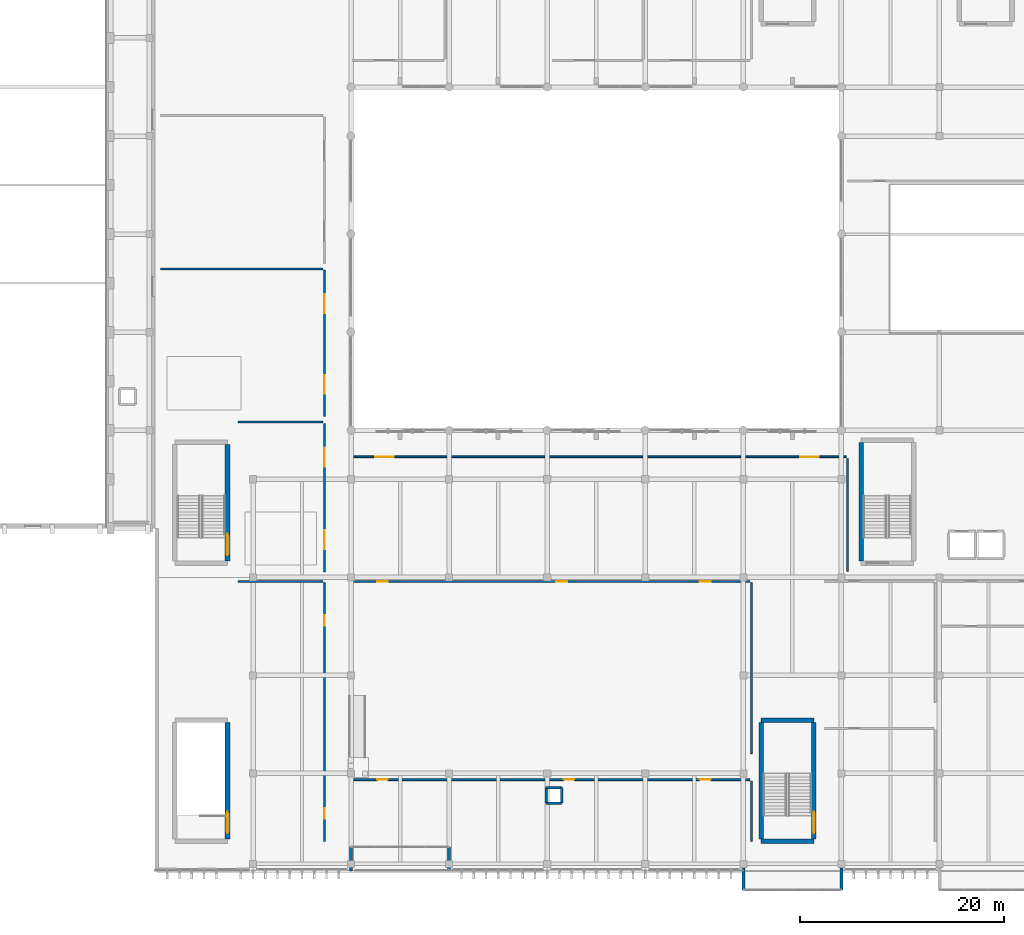
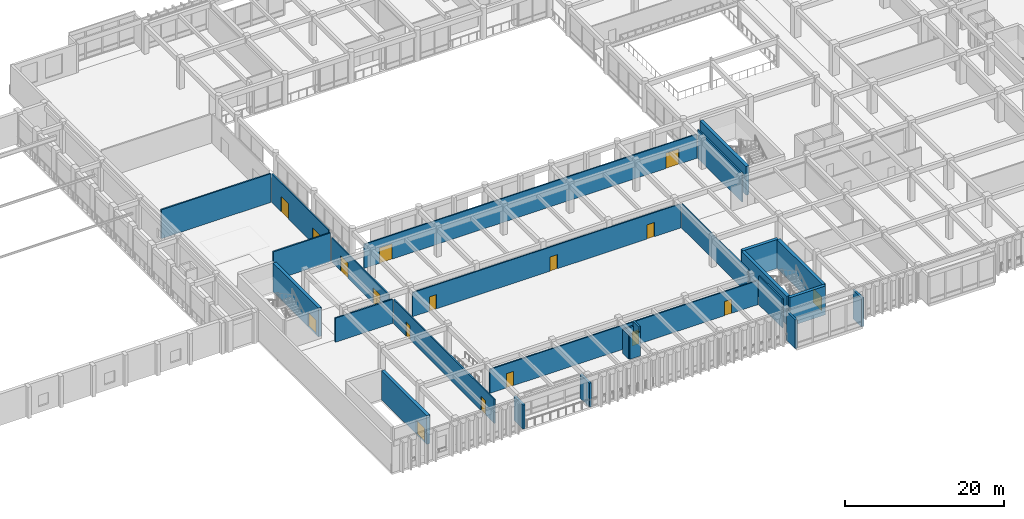
# One storey, part 100 of 133: 27 walls, 17 doors, 17 openings.
"""IFC4 building model written with IfcOpenShell, lengths in metres."""

import ifcopenshell
import ifcopenshell.guid

model = None  # the IFC model being written
_history = None  # IfcOwnerHistory: only IFC2X3 demands one
_inside = {}  # id of a spatial element -> (the spatial element, [elements in it])
_under = {}  # id of a project, library or spatial element -> (it, [spatial elements below it])
_declared = {}  # id of a project -> (the project, [libraries it declares])
_typed = {}  # id of a type object -> (the type object, [elements of that type])
_made_of = {}  # id of a material, layer set ... -> (it, [elements and type objects made of it])


def new_model(schema):
    """Start an empty IFC model of exactly this schema.

    Asked for "IFC4X3", IfcOpenShell would pick the latest addendum, in which some entities
    have other attributes; the version numbers below select the first issue.
    IFC2X3 requires an IfcOwnerHistory on every rooted entity: one is made here for all.
    """
    global model, _history
    if schema == "IFC4X3":
        model = ifcopenshell.file(schema_version=(4, 3, 0, 0))
    else:
        model = ifcopenshell.file(schema=schema)
    _inside.clear()
    _under.clear()
    _declared.clear()
    _typed.clear()
    _made_of.clear()
    _history = None
    if model.schema == "IFC2X3":
        org = make("IfcOrganization", Name="unknown")
        user = make(
            "IfcPersonAndOrganization",
            ThePerson=make("IfcPerson", FamilyName="unknown"),
            TheOrganization=org,
        )
        app = make(
            "IfcApplication",
            ApplicationDeveloper=org,
            Version="unknown",
            ApplicationFullName="unknown",
            ApplicationIdentifier="unknown",
        )
        _history = make(
            "IfcOwnerHistory",
            OwningUser=user,
            OwningApplication=app,
            ChangeAction="ADDED",
            CreationDate=0,
        )
    return model


def make(cls, **values):
    """One entity of the class cls with the attributes given. An attribute that is None is left unset."""
    return model.create_entity(
        cls, **{name: value for name, value in values.items() if value is not None}
    )


def rooted(cls, **values):
    """An entity with a GlobalId (a new one), such as an element, a storey or a relation."""
    return make(cls, GlobalId=ifcopenshell.guid.new(), OwnerHistory=_history, **values)


def si_unit(unit_type, name, prefix=None):
    """IfcSIUnit, for example si_unit("LENGTHUNIT", "METRE", prefix="MILLI")."""
    return make("IfcSIUnit", UnitType=unit_type, Prefix=prefix, Name=name)


def assignment(units):
    """IfcUnitAssignment: the units of a project."""
    return None if units is None else make("IfcUnitAssignment", Units=units)


def point(xyz):
    """IfcCartesianPoint."""
    return None if xyz is None else make("IfcCartesianPoint", Coordinates=xyz)


def direction(xyz):
    """IfcDirection."""
    return None if xyz is None else make("IfcDirection", DirectionRatios=xyz)


def frame(location, z_axis=None, x_axis=None):
    """IfcAxis2Placement3D, a coordinate frame: its origin and axes. An axis left out is left unset."""
    return make(
        "IfcAxis2Placement3D",
        Location=point(location),
        Axis=direction(z_axis),
        RefDirection=direction(x_axis),
    )


def frame_2d(location, x_axis=None):
    """IfcAxis2Placement2D, a coordinate frame in the plane: its origin and x axis."""
    return make(
        "IfcAxis2Placement2D", Location=point(location), RefDirection=direction(x_axis)
    )


def origin():
    """The frame at (0, 0, 0) with its axes left unset."""
    return frame((0.0, 0.0, 0.0))


def place(relative_to, where):
    """IfcLocalPlacement: puts the frame where relative to a parent placement (None: the world)."""
    return make(
        "IfcLocalPlacement", PlacementRelTo=relative_to, RelativePlacement=where
    )


def context(
    kind, dimensions, precision=None, world=None, true_north=None, identifier=None
):
    """IfcGeometricRepresentationContext, for example the 3D "Model" context."""
    return make(
        "IfcGeometricRepresentationContext",
        ContextIdentifier=identifier,
        ContextType=kind,
        CoordinateSpaceDimension=dimensions,
        Precision=precision,
        WorldCoordinateSystem=world,
        TrueNorth=true_north,
    )


def subcontext(parent, identifier, kind, view, scale=None):
    """IfcGeometricRepresentationSubContext, for example "Body" below "Model"."""
    return make(
        "IfcGeometricRepresentationSubContext",
        ContextIdentifier=identifier,
        ContextType=kind,
        ParentContext=parent,
        TargetScale=scale,
        TargetView=view,
    )


def project(units=None, contexts=None):
    """IfcProject with its units and contexts."""
    return rooted(
        "IfcProject",
        Name="project",
        RepresentationContexts=contexts,
        UnitsInContext=assignment(units),
    )


def spatial(cls, under=None, at=None, **own):
    """A site, building, storey or space (cls), placed at a placement, below another one or the project."""
    s = rooted(cls, ObjectPlacement=at, **own)
    if under is not None:
        _under.setdefault(under.id(), (under, []))[1].append(s)
    return s


def profile(cls, at=None, kind="AREA", **sizes):
    """A parametric profile (cls). Its sizes go by their IFC names, for example OverallWidth=200.0."""
    return make(cls, ProfileType=kind, Position=at, **sizes)


def rectangle(**sizes):
    """IfcRectangleProfileDef."""
    return profile("IfcRectangleProfileDef", **sizes)


def extrude(swept, where, along, depth):
    """IfcExtrudedAreaSolid: the profile swept, set in the frame where, extruded along a direction by depth."""
    return make(
        "IfcExtrudedAreaSolid",
        SweptArea=swept,
        Position=where,
        ExtrudedDirection=direction(along),
        Depth=depth,
    )


def shape(context_of_items, identifier, shape_type, items):
    """IfcShapeRepresentation: the items that make up one representation, for example the "Body"."""
    return make(
        "IfcShapeRepresentation",
        ContextOfItems=context_of_items,
        RepresentationIdentifier=identifier,
        RepresentationType=shape_type,
        Items=items,
    )


def material(Name=None, Category=None):
    """IfcMaterial."""
    return make("IfcMaterial", Name=Name, Category=Category)


def layer(
    of_material, thickness, ventilated=None, Name=None, Category=None, Priority=None
):
    """IfcMaterialLayer: one layer of a wall or slab, of a material (None: an air gap)."""
    return make(
        "IfcMaterialLayer",
        Material=of_material,
        LayerThickness=thickness,
        IsVentilated=ventilated,
        Name=Name,
        Category=Category,
        Priority=Priority,
    )


def layer_set(layers, Name=None):
    """IfcMaterialLayerSet."""
    return make("IfcMaterialLayerSet", MaterialLayers=layers, LayerSetName=Name)


def made_of(thing, what):
    """Note that an element or type object is made of a material, layer set ...; save() writes the relation."""
    if what is not None:
        _made_of.setdefault(what.id(), (what, []))[1].append(thing)
    return thing


def type_object(cls, material=None, **own):
    """A type object (cls), such as IfcWallType, which elements share."""
    return made_of(rooted(cls, **own), material)


def element(
    cls,
    number,
    at=None,
    inside=None,
    cuts=None,
    type_object=None,
    material=None,
    context=None,
    identifier="Body",
    shape_type=None,
    held_by="IfcProductDefinitionShape",
    body=None,
    shapes=None,
    **own,
):
    """One element of the class cls, such as IfcWall. Its Tag is "e" and its number.

    at: its placement. inside: the storey or other place that contains it. cuts: it is an
    opening in that element (IfcRelVoidsElement). A single representation is given by context,
    identifier, shape_type and body (its items); several are given by shapes. held_by: the class
    of the entity that holds the representations. save() writes the other relations.
    """
    e = rooted(cls, Tag="e%d" % number, ObjectPlacement=at, **own)
    if body is not None:
        shapes = [shape(context, identifier, shape_type, body)]
    if shapes is not None:
        e.Representation = make(held_by, Representations=shapes)
    if inside is not None:
        _inside.setdefault(inside.id(), (inside, []))[1].append(e)
    if cuts is not None:
        rooted(
            "IfcRelVoidsElement", RelatingBuildingElement=cuts, RelatedOpeningElement=e
        )
    if type_object is not None:
        _typed.setdefault(type_object.id(), (type_object, []))[1].append(e)
    return made_of(e, material)


def fill(opening, filler):
    """IfcRelFillsElement: the door or window that sits in an opening."""
    return rooted(
        "IfcRelFillsElement",
        RelatingOpeningElement=opening,
        RelatedBuildingElement=filler,
    )


def aggregate(whole, parts):
    """IfcRelAggregates: a whole, such as a stair, and the parts it consists of."""
    return rooted("IfcRelAggregates", RelatingObject=whole, RelatedObjects=parts)


def save(model, path):
    """Write the relations noted so far, then the file.

    IfcRelAggregates (storeys below a building ...), IfcRelContainedInSpatialStructure (elements
    in a storey), IfcRelDefinesByType, IfcRelAssociatesMaterial and IfcRelDeclares: one each for
    every whole, place, type object, material and project.
    """
    for whole, parts in _under.values():
        aggregate(whole, parts)
    for where, things in _inside.values():
        rooted(
            "IfcRelContainedInSpatialStructure",
            RelatedElements=things,
            RelatingStructure=where,
        )
    for kind, things in _typed.values():
        rooted("IfcRelDefinesByType", RelatedObjects=things, RelatingType=kind)
    for what, things in _made_of.values():
        rooted("IfcRelAssociatesMaterial", RelatedObjects=things, RelatingMaterial=what)
    for by, libraries in _declared.values():
        rooted("IfcRelDeclares", RelatingContext=by, RelatedDefinitions=libraries)
    model.write(path)


model = new_model("IFC4")

# Units and contexts
model_context = context("Model", 3, precision=1e-05, world=origin(), true_north=direction((0.0, 1.0)))
body_context = subcontext(model_context, "Body", "Model", "MODEL_VIEW")
ifc_project = project(units=[si_unit("LENGTHUNIT", "METRE"), si_unit("AREAUNIT", "SQUARE_METRE"), si_unit("VOLUMEUNIT", "CUBIC_METRE"), si_unit("PLANEANGLEUNIT", "RADIAN"), si_unit("MASSUNIT", "GRAM", prefix="KILO")], contexts=[model_context])

# Site, building, storey
site_placement = place(None, origin())
site = spatial("IfcSite", under=ifc_project, at=site_placement, CompositionType="ELEMENT")
building_placement = place(site_placement, origin())
building = spatial("IfcBuilding", under=site, at=building_placement, Name="Nakhvara Creek Congress Hotel", CompositionType="ELEMENT")
storey_placement = place(building_placement, frame((0.0, 0.0, 11.39990234375)))
storey = spatial("IfcBuildingStorey", under=building, at=storey_placement, Name="L02", CompositionType="ELEMENT", Elevation=11.39990234375)

# Walls
ifc_material_1 = material(Name="Champagne-bronze anodised aluminium cassette", Category="aluminium")
ifc_layer_1 = layer(ifc_material_1, 0.030029296875)
ifc_material_2 = material(Name="Mineral wool thermal insulation")
ifc_layer_2 = layer(ifc_material_2, 0.10009765625)
ifc_material_3 = material(Name="Precast concrete C40/50", Category="concrete")
ifc_layer_3 = layer(ifc_material_3, 0.169921875)
ifc_layer_set_1 = layer_set([ifc_layer_1, ifc_layer_2, ifc_layer_3], Name="Precast concrete C40/50")
wall_type_1 = type_object("IfcWallType", Name="W-BOX-300", PredefinedType="SOLIDWALL", material=ifc_layer_set_1)
for number, where, z_axis, x_axis, name in (
    (1, (115.199951171875, -1.800048828125, 0.0), (0.0, 0.0, 1.0), (0.0, 1.0, 0.0), "Exterior Wall WE06-EW-L02-0080"),
    (2, (124.800048828125, 0.35009765625, 0.0), (0.0, 0.0, 1.0), (0.0, -1.0, 0.0), "Exterior Wall WE06-EW-L02-0081"),
):
    element("IfcWall", number, at=place(storey_placement, frame(where, z_axis=z_axis, x_axis=x_axis)), inside=storey, type_object=wall_type_1, Name=name, PredefinedType="SOLIDWALL", context=body_context, shape_type="SweptSolid", body=[
        extrude(rectangle(XDim=2.150146484375, YDim=0.300048828125, at=frame_2d((1.0751953125, 0.0))), origin(), (0.0, 0.0, 1.0), 4.420166015625),
    ])
for number, where, z_axis, x_axis, name in (
    (3, (76.800048828125, 2.39990234375, 0.0), (0.0, 0.0, 1.0), (0.0, -1.0, 0.0), "Exterior Wall WE06-EW-L02-0084"),
    (4, (86.39990234375, 0.050048828125, 0.0), (0.0, 0.0, 1.0), (0.0, 1.0, 0.0), "Exterior Wall WE06-EW-L02-0085"),
):
    element("IfcWall", number, at=place(storey_placement, frame(where, z_axis=z_axis, x_axis=x_axis)), inside=storey, type_object=wall_type_1, Name=name, PredefinedType="SOLIDWALL", context=body_context, shape_type="SweptSolid", body=[
        extrude(rectangle(XDim=2.349853515625, YDim=0.300048828125, at=frame_2d((1.1748046875, 0.0))), origin(), (0.0, 0.0, 1.0), 3.662109375),
    ])
ifc_material_4 = material(Name="Concrete C50/60", Category="concrete")
ifc_layer_4 = layer(ifc_material_4, 0.449951171875)
ifc_layer_set_2 = layer_set([ifc_layer_4], Name="Concrete C50/60")
wall_type_2 = type_object("IfcWallType", Name="W-CORE-450", PredefinedType="SHEAR", material=ifc_layer_set_2)
wall_1_placement = place(storey_placement, frame((126.72998046875, 30.39990234375, 0.0), z_axis=(0.0, 0.0, 1.0), x_axis=(0.0, 1.0, 0.0)))
element("IfcWall", 5, at=wall_1_placement, inside=storey, type_object=wall_type_2, Name="Core Shear Wall WS02-CWALL-L02-0827", PredefinedType="SHEAR", context=body_context, shape_type="SweptSolid", body=[
    extrude(rectangle(XDim=11.60009765625, YDim=0.449951171875, at=frame_2d((5.800048828125, 0.0))), origin(), (0.0, 0.0, 1.0), 4.420166015625),
])

# Wall, opening, door
wall_2_placement = place(storey_placement, frame((64.699951171875, 3.199951171875, 0.0), z_axis=(0.0, 0.0, 1.0), x_axis=(0.0, 1.0, 0.0)))
wall_2 = element("IfcWall", 6, at=wall_2_placement, inside=storey, type_object=wall_type_2, Name="Core Shear Wall WS02-CWALL-L02-0954", PredefinedType="SHEAR", context=body_context, shape_type="SweptSolid", body=[
    extrude(rectangle(XDim=11.400146484375, YDim=0.449951171875, at=frame_2d((5.7001953125, 0.0))), origin(), (0.0, 0.0, 1.0), 4.420166015625),
])
opening_1_placement = place(wall_2_placement, frame((0.550048828125, 0.0, 0.0)))
opening_1 = element("IfcOpeningElement", 7, at=opening_1_placement, cuts=wall_2, Name="Opening FD19", PredefinedType="OPENING", context=body_context, shape_type="SweptSolid", body=[
    extrude(rectangle(XDim=2.10009765625, YDim=2.199951171875, at=frame_2d((1.050048828125, 1.10009765625))), frame((0.0, 0.23681640625, 0.0), z_axis=(0.0, -1.0, 0.0), x_axis=(1.0, 0.0, 0.0)), (0.0, 0.0, 1.0), 0.473876953125),
])
ifc_material_5 = material(Name="Galvanised steel acoustic fire door", Category="steel")
door_type_1 = type_object("IfcDoorType", Name="DT-STAIR-220", OperationType="DOUBLE_DOOR_SINGLE_SWING", PredefinedType="DOOR", material=ifc_material_5)
door_1_placement = place(opening_1_placement, frame((2.10009765625, 0.0, 0.0), z_axis=(0.0, 0.0, 1.0), x_axis=(-1.0, 0.0, 0.0)))
door_1 = element("IfcDoor", 8, at=door_1_placement, inside=storey, type_object=door_type_1, Name="Stair Exit Door ST11-L02", OperationType="DOUBLE_DOOR_SINGLE_SWING", OverallHeight=2.199951171875, OverallWidth=2.10009765625, PredefinedType="DOOR", context=body_context, shape_type="SweptSolid", body=[
    extrude(rectangle(XDim=2.10009765625, YDim=2.199951171875, at=frame_2d((1.050048828125, 1.10009765625))), frame((0.0, 0.02490234375, 0.0), z_axis=(0.0, -1.0, 0.0), x_axis=(1.0, 0.0, 0.0)), (0.0, 0.0, 1.0), 0.050048828125),
])
fill(opening_1, door_1)

# Walls
for number, where, z_axis, x_axis, name in (
    (9, (116.949951171875, 2.97998046875, 0.0), (0.0, 0.0, 1.0), (1.0, 0.0, 0.0), "Core Shear Wall WS02-CWALL-L02-0971"),
    (10, (116.949951171875, 14.820068359375, 0.0), (0.0, 0.0, 1.0), (1.0, 0.0, 0.0), "Core Shear Wall WS02-CWALL-L02-0972"),
):
    element("IfcWall", number, at=place(storey_placement, frame(where, z_axis=z_axis, x_axis=x_axis)), inside=storey, type_object=wall_type_2, Name=name, PredefinedType="SHEAR", context=body_context, shape_type="SweptSolid", body=[
        extrude(rectangle(XDim=5.150146484375, YDim=0.449951171875, at=frame_2d((2.5751953125, 0.0))), origin(), (0.0, 0.0, 1.0), 4.420166015625),
    ])
wall_3_placement = place(storey_placement, frame((116.949951171875, 3.199951171875, 0.0), z_axis=(0.0, 0.0, 1.0), x_axis=(0.0, 1.0, 0.0)))
element("IfcWall", 11, at=wall_3_placement, inside=storey, type_object=wall_type_2, Name="Core Shear Wall WS02-CWALL-L02-0973", PredefinedType="SHEAR", context=body_context, shape_type="SweptSolid", body=[
    extrude(rectangle(XDim=11.400146484375, YDim=0.449951171875, at=frame_2d((5.7001953125, 0.0))), origin(), (0.0, 0.0, 1.0), 4.420166015625),
])

# Wall, opening, door
wall_4_placement = place(storey_placement, frame((122.10009765625, 3.199951171875, 0.0), z_axis=(0.0, 0.0, 1.0), x_axis=(0.0, 1.0, 0.0)))
wall_4 = element("IfcWall", 12, at=wall_4_placement, inside=storey, type_object=wall_type_2, Name="Core Shear Wall WS02-CWALL-L02-0974", PredefinedType="SHEAR", context=body_context, shape_type="SweptSolid", body=[
    extrude(rectangle(XDim=11.400146484375, YDim=0.449951171875, at=frame_2d((5.7001953125, 0.0))), origin(), (0.0, 0.0, 1.0), 4.420166015625),
])
opening_2_placement = place(wall_4_placement, frame((0.550048828125, 0.0, 0.0)))
opening_2 = element("IfcOpeningElement", 13, at=opening_2_placement, cuts=wall_4, Name="Opening FD19", PredefinedType="OPENING", context=body_context, shape_type="SweptSolid", body=[
    extrude(rectangle(XDim=2.10009765625, YDim=2.199951171875, at=frame_2d((1.050048828125, 1.10009765625))), frame((0.0, 0.23681640625, 0.0), z_axis=(0.0, -1.0, 0.0), x_axis=(1.0, 0.0, 0.0)), (0.0, 0.0, 1.0), 0.473876953125),
])
door_2_placement = place(opening_2_placement, frame((2.10009765625, 0.0, 0.0), z_axis=(0.0, 0.0, 1.0), x_axis=(-1.0, 0.0, 0.0)))
door_2 = element("IfcDoor", 14, at=door_2_placement, inside=storey, type_object=door_type_1, Name="Stair Exit Door ST12-L02", OperationType="DOUBLE_DOOR_SINGLE_SWING", OverallHeight=2.199951171875, OverallWidth=2.10009765625, PredefinedType="DOOR", context=body_context, shape_type="SweptSolid", body=[
    extrude(rectangle(XDim=2.10009765625, YDim=2.199951171875, at=frame_2d((1.050048828125, 1.10009765625))), frame((0.0, 0.02490234375, 0.0), z_axis=(0.0, -1.0, 0.0), x_axis=(1.0, 0.0, 0.0)), (0.0, 0.0, 1.0), 0.050048828125),
])
fill(opening_2, door_2)

wall_5_placement = place(storey_placement, frame((64.699951171875, 30.39990234375, 0.0), z_axis=(0.0, 0.0, 1.0), x_axis=(0.0, 1.0, 0.0)))
wall_5 = element("IfcWall", 15, at=wall_5_placement, inside=storey, type_object=wall_type_2, Name="Core Shear Wall WS02-CWALL-L02-0998", PredefinedType="SHEAR", context=body_context, shape_type="SweptSolid", body=[
    extrude(rectangle(XDim=11.400146484375, YDim=0.449951171875, at=frame_2d((5.7001953125, 0.0))), origin(), (0.0, 0.0, 1.0), 4.420166015625),
])
opening_3_placement = place(wall_5_placement, frame((0.550048828125, 0.0, 0.0)))
opening_3 = element("IfcOpeningElement", 16, at=opening_3_placement, cuts=wall_5, Name="Opening FD19", PredefinedType="OPENING", context=body_context, shape_type="SweptSolid", body=[
    extrude(rectangle(XDim=2.10009765625, YDim=2.199951171875, at=frame_2d((1.050048828125, 1.10009765625))), frame((0.0, 0.23681640625, 0.0), z_axis=(0.0, -1.0, 0.0), x_axis=(1.0, 0.0, 0.0)), (0.0, 0.0, 1.0), 0.473876953125),
])
door_3_placement = place(opening_3_placement, frame((2.10009765625, 0.0, 0.0), z_axis=(0.0, 0.0, 1.0), x_axis=(-1.0, 0.0, 0.0)))
door_3 = element("IfcDoor", 17, at=door_3_placement, inside=storey, type_object=door_type_1, Name="Stair Exit Door ST13-L02", OperationType="DOUBLE_DOOR_SINGLE_SWING", OverallHeight=2.199951171875, OverallWidth=2.10009765625, PredefinedType="DOOR", context=body_context, shape_type="SweptSolid", body=[
    extrude(rectangle(XDim=2.10009765625, YDim=2.199951171875, at=frame_2d((1.050048828125, 1.10009765625))), frame((0.0, 0.02490234375, 0.0), z_axis=(0.0, -1.0, 0.0), x_axis=(1.0, 0.0, 0.0)), (0.0, 0.0, 1.0), 0.050048828125),
])
fill(opening_3, door_3)

# Wall, openings, doors
ifc_material_6 = material(Name="Gypsum acoustic board on steel stud", Category="steel")
ifc_layer_5 = layer(ifc_material_6, 0.179931640625)
ifc_layer_set_3 = layer_set([ifc_layer_5], Name="Gypsum acoustic board on steel stud")
wall_type_3 = type_object("IfcWallType", Name="W-MEET-180", PredefinedType="PARTITIONING", material=ifc_layer_set_3)
wall_6_placement = place(storey_placement, frame((74.199951171875, 29.35009765625, 0.0), z_axis=(0.0, 0.0, 1.0), x_axis=(0.0, 1.0, 0.0)))
wall_6 = element("IfcWall", 18, at=wall_6_placement, inside=storey, type_object=wall_type_3, Name="Interior Wall WP13-IW-L02-0126", PredefinedType="PARTITIONING", context=body_context, shape_type="SweptSolid", body=[
    extrude(rectangle(XDim=14.5, YDim=0.179931640625, at=frame_2d((7.25, 0.0))), origin(), (0.0, 0.0, 1.0), 3.692138671875),
])
opening_4_placement = place(wall_6_placement, frame((2.199951171875, 0.0, 0.0)))
opening_4 = element("IfcOpeningElement", 19, at=opening_4_placement, cuts=wall_6, Name="Opening MD01", PredefinedType="OPENING", context=body_context, shape_type="SweptSolid", body=[
    extrude(rectangle(XDim=1.85009765625, YDim=2.35009765625, at=frame_2d((0.925048828125, 1.175048828125))), frame((0.0, 0.10205078125, 0.0), z_axis=(0.0, -1.0, 0.0), x_axis=(1.0, 0.0, 0.0)), (0.0, 0.0, 1.0), 0.203857421875),
])
opening_5_placement = place(wall_6_placement, frame((10.300048828125, 0.0, 0.0)))
opening_5 = element("IfcOpeningElement", 20, at=opening_5_placement, cuts=wall_6, Name="Opening MD01", PredefinedType="OPENING", context=body_context, shape_type="SweptSolid", body=[
    extrude(rectangle(XDim=1.85009765625, YDim=2.35009765625, at=frame_2d((0.925048828125, 1.175048828125))), frame((0.0, 0.10205078125, 0.0), z_axis=(0.0, -1.0, 0.0), x_axis=(1.0, 0.0, 0.0)), (0.0, 0.0, 1.0), 0.203857421875),
])
ifc_material_7 = material(Name="Acoustic walnut timber double door", Category="wood")
door_type_2 = type_object("IfcDoorType", Name="DT-MEET-185", OperationType="DOUBLE_DOOR_SINGLE_SWING", PredefinedType="DOOR", material=ifc_material_7)
door_4_placement = place(opening_4_placement, origin())
door_4 = element("IfcDoor", 21, at=door_4_placement, inside=storey, type_object=door_type_2, Name="Interior Door MD01-0126", OperationType="DOUBLE_DOOR_SINGLE_SWING", OverallHeight=2.35009765625, OverallWidth=1.85009765625, PredefinedType="DOOR", context=body_context, shape_type="SweptSolid", body=[
    extrude(rectangle(XDim=1.85009765625, YDim=2.35009765625, at=frame_2d((0.925048828125, 1.175048828125))), frame((0.0, 0.02490234375, 0.0), z_axis=(0.0, -1.0, 0.0), x_axis=(1.0, 0.0, 0.0)), (0.0, 0.0, 1.0), 0.050048828125),
])
fill(opening_4, door_4)
door_5_placement = place(opening_5_placement, origin())
door_5 = element("IfcDoor", 22, at=door_5_placement, inside=storey, type_object=door_type_2, Name="Interior Door MD01-0127", OperationType="DOUBLE_DOOR_SINGLE_SWING", OverallHeight=2.35009765625, OverallWidth=1.85009765625, PredefinedType="DOOR", context=body_context, shape_type="SweptSolid", body=[
    extrude(rectangle(XDim=1.85009765625, YDim=2.35009765625, at=frame_2d((0.925048828125, 1.175048828125))), frame((0.0, 0.02490234375, 0.0), z_axis=(0.0, -1.0, 0.0), x_axis=(1.0, 0.0, 0.0)), (0.0, 0.0, 1.0), 0.050048828125),
])
fill(opening_5, door_5)

wall_7_placement = place(storey_placement, frame((74.199951171875, 44.550048828125, 0.0), z_axis=(0.0, 0.0, 1.0), x_axis=(0.0, 1.0, 0.0)))
wall_7 = element("IfcWall", 23, at=wall_7_placement, inside=storey, type_object=wall_type_3, Name="Interior Wall WP13-IW-L02-0128", PredefinedType="PARTITIONING", context=body_context, shape_type="SweptSolid", body=[
    extrude(rectangle(XDim=14.300048828125, YDim=0.179931640625, at=frame_2d((7.14990234375, 0.0))), origin(), (0.0, 0.0, 1.0), 4.420166015625),
])
opening_6_placement = place(wall_7_placement, frame((2.199951171875, 0.0, 0.0)))
opening_6 = element("IfcOpeningElement", 24, at=opening_6_placement, cuts=wall_7, Name="Opening MD01", PredefinedType="OPENING", context=body_context, shape_type="SweptSolid", body=[
    extrude(rectangle(XDim=1.85009765625, YDim=2.35009765625, at=frame_2d((0.925048828125, 1.175048828125))), frame((0.0, 0.10205078125, 0.0), z_axis=(0.0, -1.0, 0.0), x_axis=(1.0, 0.0, 0.0)), (0.0, 0.0, 1.0), 0.203857421875),
])
opening_7_placement = place(wall_7_placement, frame((10.10009765625, 0.0, 0.0)))
opening_7 = element("IfcOpeningElement", 25, at=opening_7_placement, cuts=wall_7, Name="Opening MD01", PredefinedType="OPENING", context=body_context, shape_type="SweptSolid", body=[
    extrude(rectangle(XDim=1.85009765625, YDim=2.35009765625, at=frame_2d((0.925048828125, 1.175048828125))), frame((0.0, 0.10205078125, 0.0), z_axis=(0.0, -1.0, 0.0), x_axis=(1.0, 0.0, 0.0)), (0.0, 0.0, 1.0), 0.203857421875),
])
door_6_placement = place(opening_6_placement, origin())
door_6 = element("IfcDoor", 26, at=door_6_placement, inside=storey, type_object=door_type_2, Name="Interior Door MD01-0128", OperationType="DOUBLE_DOOR_SINGLE_SWING", OverallHeight=2.35009765625, OverallWidth=1.85009765625, PredefinedType="DOOR", context=body_context, shape_type="SweptSolid", body=[
    extrude(rectangle(XDim=1.85009765625, YDim=2.35009765625, at=frame_2d((0.925048828125, 1.175048828125))), frame((0.0, 0.02490234375, 0.0), z_axis=(0.0, -1.0, 0.0), x_axis=(1.0, 0.0, 0.0)), (0.0, 0.0, 1.0), 0.050048828125),
])
fill(opening_6, door_6)
door_7_placement = place(opening_7_placement, origin())
door_7 = element("IfcDoor", 27, at=door_7_placement, inside=storey, type_object=door_type_2, Name="Interior Door MD01-0129", OperationType="DOUBLE_DOOR_SINGLE_SWING", OverallHeight=2.35009765625, OverallWidth=1.85009765625, PredefinedType="DOOR", context=body_context, shape_type="SweptSolid", body=[
    extrude(rectangle(XDim=1.85009765625, YDim=2.35009765625, at=frame_2d((0.925048828125, 1.175048828125))), frame((0.0, 0.02490234375, 0.0), z_axis=(0.0, -1.0, 0.0), x_axis=(1.0, 0.0, 0.0)), (0.0, 0.0, 1.0), 0.050048828125),
])
fill(opening_7, door_7)

wall_8_placement = place(storey_placement, frame((76.949951171875, 40.60009765625, 0.0), z_axis=(0.0, 0.0, 1.0), x_axis=(1.0, 0.0, 0.0)))
wall_8 = element("IfcWall", 28, at=wall_8_placement, inside=storey, type_object=wall_type_3, Name="Interior Wall WP13-IW-L02-0138", PredefinedType="PARTITIONING", context=body_context, shape_type="SweptSolid", body=[
    extrude(rectangle(XDim=48.300048828125, YDim=0.179931640625, at=frame_2d((24.14990234375, 0.0))), origin(), (0.0, 0.0, 1.0), 3.692138671875),
])
opening_8_placement = place(wall_8_placement, frame((2.199951171875, 0.0, 0.0)))
opening_8 = element("IfcOpeningElement", 29, at=opening_8_placement, cuts=wall_8, Name="Opening MD01", PredefinedType="OPENING", context=body_context, shape_type="SweptSolid", body=[
    extrude(rectangle(XDim=1.85009765625, YDim=2.35009765625, at=frame_2d((0.925048828125, 1.175048828125))), frame((0.0, 0.10205078125, 0.0), z_axis=(0.0, -1.0, 0.0), x_axis=(1.0, 0.0, 0.0)), (0.0, 0.0, 1.0), 0.203857421875),
])
opening_9_placement = place(wall_8_placement, frame((43.800048828125, 0.0, 0.0)))
opening_9 = element("IfcOpeningElement", 30, at=opening_9_placement, cuts=wall_8, Name="Opening MD01", PredefinedType="OPENING", context=body_context, shape_type="SweptSolid", body=[
    extrude(rectangle(XDim=1.85009765625, YDim=2.35009765625, at=frame_2d((0.925048828125, 1.175048828125))), frame((0.0, 0.10205078125, 0.0), z_axis=(0.0, -1.0, 0.0), x_axis=(1.0, 0.0, 0.0)), (0.0, 0.0, 1.0), 0.203857421875),
])
door_8_placement = place(opening_8_placement, origin())
door_8 = element("IfcDoor", 31, at=door_8_placement, inside=storey, type_object=door_type_2, Name="Interior Door MD01-0135", OperationType="DOUBLE_DOOR_SINGLE_SWING", OverallHeight=2.35009765625, OverallWidth=1.85009765625, PredefinedType="DOOR", context=body_context, shape_type="SweptSolid", body=[
    extrude(rectangle(XDim=1.85009765625, YDim=2.35009765625, at=frame_2d((0.925048828125, 1.175048828125))), frame((0.0, 0.02490234375, 0.0), z_axis=(0.0, -1.0, 0.0), x_axis=(1.0, 0.0, 0.0)), (0.0, 0.0, 1.0), 0.050048828125),
])
fill(opening_8, door_8)
door_9_placement = place(opening_9_placement, origin())
door_9 = element("IfcDoor", 32, at=door_9_placement, inside=storey, type_object=door_type_2, Name="Interior Door MD01-0136", OperationType="DOUBLE_DOOR_SINGLE_SWING", OverallHeight=2.35009765625, OverallWidth=1.85009765625, PredefinedType="DOOR", context=body_context, shape_type="SweptSolid", body=[
    extrude(rectangle(XDim=1.85009765625, YDim=2.35009765625, at=frame_2d((0.925048828125, 1.175048828125))), frame((0.0, 0.02490234375, 0.0), z_axis=(0.0, -1.0, 0.0), x_axis=(1.0, 0.0, 0.0)), (0.0, 0.0, 1.0), 0.050048828125),
])
fill(opening_9, door_9)

wall_9_placement = place(storey_placement, frame((74.199951171875, 2.949951171875, 0.0), z_axis=(0.0, 0.0, 1.0), x_axis=(0.0, 1.0, 0.0)))
wall_9 = element("IfcWall", 33, at=wall_9_placement, inside=storey, type_object=wall_type_3, Name="Interior Wall WP13-IW-L02-0141", PredefinedType="PARTITIONING", context=body_context, shape_type="SweptSolid", body=[
    extrude(rectangle(XDim=25.300048828125, YDim=0.179931640625, at=frame_2d((12.64990234375, 0.0))), origin(), (0.0, 0.0, 1.0), 3.692138671875),
])
opening_10_placement = place(wall_9_placement, frame((2.199951171875, 0.0, 0.0)))
opening_10 = element("IfcOpeningElement", 34, at=opening_10_placement, cuts=wall_9, Name="Opening ID04", PredefinedType="OPENING", context=body_context, shape_type="SweptSolid", body=[
    extrude(rectangle(XDim=1.050048828125, YDim=2.179931640625, at=frame_2d((0.52490234375, 1.08984375))), frame((0.0, 0.10205078125, 0.0), z_axis=(0.0, -1.0, 0.0), x_axis=(1.0, 0.0, 0.0)), (0.0, 0.0, 1.0), 0.203857421875),
])
opening_11_placement = place(wall_9_placement, frame((21.10009765625, 0.0, 0.0)))
opening_11 = element("IfcOpeningElement", 35, at=opening_11_placement, cuts=wall_9, Name="Opening ID04", PredefinedType="OPENING", context=body_context, shape_type="SweptSolid", body=[
    extrude(rectangle(XDim=1.050048828125, YDim=2.179931640625, at=frame_2d((0.52490234375, 1.08984375))), frame((0.0, 0.10205078125, 0.0), z_axis=(0.0, -1.0, 0.0), x_axis=(1.0, 0.0, 0.0)), (0.0, 0.0, 1.0), 0.203857421875),
])
ifc_material_8 = material(Name="Teak timber & frosted glass spa door", Category="wood")
door_type_3 = type_object("IfcDoorType", Name="DT-SPA-105", OperationType="NOTDEFINED", PredefinedType="DOOR", material=ifc_material_8)
door_10_placement = place(opening_10_placement, origin())
door_10 = element("IfcDoor", 36, at=door_10_placement, inside=storey, type_object=door_type_3, Name="Interior Door ID04-0139", OperationType="SINGLE_SWING_RIGHT", OverallHeight=2.179931640625, OverallWidth=1.050048828125, PredefinedType="DOOR", context=body_context, shape_type="SweptSolid", body=[
    extrude(rectangle(XDim=1.050048828125, YDim=2.179931640625, at=frame_2d((0.52490234375, 1.08984375))), frame((0.0, 0.02490234375, 0.0), z_axis=(0.0, -1.0, 0.0), x_axis=(1.0, 0.0, 0.0)), (0.0, 0.0, 1.0), 0.050048828125),
])
fill(opening_10, door_10)
door_11_placement = place(opening_11_placement, origin())
door_11 = element("IfcDoor", 37, at=door_11_placement, inside=storey, type_object=door_type_3, Name="Interior Door ID04-0140", OperationType="SINGLE_SWING_LEFT", OverallHeight=2.179931640625, OverallWidth=1.050048828125, PredefinedType="DOOR", context=body_context, shape_type="SweptSolid", body=[
    extrude(rectangle(XDim=1.050048828125, YDim=2.179931640625, at=frame_2d((0.52490234375, 1.08984375))), frame((0.0, 0.02490234375, 0.0), z_axis=(0.0, -1.0, 0.0), x_axis=(1.0, 0.0, 0.0)), (0.0, 0.0, 1.0), 0.050048828125),
])
fill(opening_11, door_11)

wall_10_placement = place(storey_placement, frame((76.949951171875, 28.39990234375, 0.0), z_axis=(0.0, 0.0, 1.0), x_axis=(1.0, 0.0, 0.0)))
wall_10 = element("IfcWall", 38, at=wall_10_placement, inside=storey, type_object=wall_type_3, Name="Interior Wall WP13-IW-L02-0143", PredefinedType="PARTITIONING", context=body_context, shape_type="SweptSolid", body=[
    extrude(rectangle(XDim=38.900146484375, YDim=0.179931640625, at=frame_2d((19.4501953125, 0.0))), origin(), (0.0, 0.0, 1.0), 3.692138671875),
])
opening_12_placement = place(wall_10_placement, frame((2.39990234375, 0.0, 0.0)))
opening_12 = element("IfcOpeningElement", 39, at=opening_12_placement, cuts=wall_10, Name="Opening ID04", PredefinedType="OPENING", context=body_context, shape_type="SweptSolid", body=[
    extrude(rectangle(XDim=1.050048828125, YDim=2.179931640625, at=frame_2d((0.52490234375, 1.08984375))), frame((0.0, 0.10205078125, 0.0), z_axis=(0.0, -1.0, 0.0), x_axis=(1.0, 0.0, 0.0)), (0.0, 0.0, 1.0), 0.203857421875),
])
opening_13_placement = place(wall_10_placement, frame((34.0, 0.0, 0.0)))
opening_13 = element("IfcOpeningElement", 40, at=opening_13_placement, cuts=wall_10, Name="Opening ID04", PredefinedType="OPENING", context=body_context, shape_type="SweptSolid", body=[
    extrude(rectangle(XDim=1.050048828125, YDim=2.179931640625, at=frame_2d((0.52490234375, 1.08984375))), frame((0.0, 0.10205078125, 0.0), z_axis=(0.0, -1.0, 0.0), x_axis=(1.0, 0.0, 0.0)), (0.0, 0.0, 1.0), 0.203857421875),
])
opening_14_placement = place(wall_10_placement, frame((19.949951171875, 0.0, 0.0)))
opening_14 = element("IfcOpeningElement", 41, at=opening_14_placement, cuts=wall_10, Name="Opening ID04", PredefinedType="OPENING", context=body_context, shape_type="SweptSolid", body=[
    extrude(rectangle(XDim=1.050048828125, YDim=2.179931640625, at=frame_2d((0.52490234375, 1.08984375))), frame((0.0, 0.10205078125, 0.0), z_axis=(0.0, -1.0, 0.0), x_axis=(1.0, 0.0, 0.0)), (0.0, 0.0, 1.0), 0.203857421875),
])
door_12_placement = place(opening_12_placement, origin())
door_12 = element("IfcDoor", 42, at=door_12_placement, inside=storey, type_object=door_type_3, Name="Interior Door ID04-0141", OperationType="SINGLE_SWING_RIGHT", OverallHeight=2.179931640625, OverallWidth=1.050048828125, PredefinedType="DOOR", context=body_context, shape_type="SweptSolid", body=[
    extrude(rectangle(XDim=1.050048828125, YDim=2.179931640625, at=frame_2d((0.52490234375, 1.08984375))), frame((0.0, 0.02490234375, 0.0), z_axis=(0.0, -1.0, 0.0), x_axis=(1.0, 0.0, 0.0)), (0.0, 0.0, 1.0), 0.050048828125),
])
fill(opening_12, door_12)
door_13_placement = place(opening_13_placement, origin())
door_13 = element("IfcDoor", 43, at=door_13_placement, inside=storey, type_object=door_type_3, Name="Interior Door ID04-0142", OperationType="SINGLE_SWING_LEFT", OverallHeight=2.179931640625, OverallWidth=1.050048828125, PredefinedType="DOOR", context=body_context, shape_type="SweptSolid", body=[
    extrude(rectangle(XDim=1.050048828125, YDim=2.179931640625, at=frame_2d((0.52490234375, 1.08984375))), frame((0.0, 0.02490234375, 0.0), z_axis=(0.0, -1.0, 0.0), x_axis=(1.0, 0.0, 0.0)), (0.0, 0.0, 1.0), 0.050048828125),
])
fill(opening_13, door_13)
door_14_placement = place(opening_14_placement, origin())
door_14 = element("IfcDoor", 44, at=door_14_placement, inside=storey, type_object=door_type_3, Name="Interior Door ID04-0143", OperationType="SINGLE_SWING_RIGHT", OverallHeight=2.179931640625, OverallWidth=1.050048828125, PredefinedType="DOOR", context=body_context, shape_type="SweptSolid", body=[
    extrude(rectangle(XDim=1.050048828125, YDim=2.179931640625, at=frame_2d((0.52490234375, 1.08984375))), frame((0.0, 0.02490234375, 0.0), z_axis=(0.0, -1.0, 0.0), x_axis=(1.0, 0.0, 0.0)), (0.0, 0.0, 1.0), 0.050048828125),
])
fill(opening_14, door_14)

# Wall
wall_11_placement = place(storey_placement, frame((116.0, 11.550048828125, 0.0), z_axis=(0.0, 0.0, 1.0), x_axis=(0.0, 1.0, 0.0)))
element("IfcWall", 45, at=wall_11_placement, inside=storey, type_object=wall_type_3, Name="Interior Wall WP13-IW-L02-0144", PredefinedType="PARTITIONING", context=body_context, shape_type="SweptSolid", body=[
    extrude(rectangle(XDim=16.699951171875, YDim=0.179931640625, at=frame_2d((8.35009765625, 0.0))), origin(), (0.0, 0.0, 1.0), 3.692138671875),
])

# Wall, openings, doors
wall_12_placement = place(storey_placement, frame((76.949951171875, 9.0, 0.0), z_axis=(0.0, 0.0, 1.0), x_axis=(1.0, 0.0, 0.0)))
wall_12 = element("IfcWall", 46, at=wall_12_placement, inside=storey, type_object=wall_type_3, Name="Interior Wall WP13-IW-L02-0145", PredefinedType="PARTITIONING", context=body_context, shape_type="SweptSolid", body=[
    extrude(rectangle(XDim=38.900146484375, YDim=0.179931640625, at=frame_2d((19.4501953125, 0.0))), origin(), (0.0, 0.0, 1.0), 3.692138671875),
])
opening_15_placement = place(wall_12_placement, frame((2.39990234375, 0.0, 0.0)))
opening_15 = element("IfcOpeningElement", 47, at=opening_15_placement, cuts=wall_12, Name="Opening ID04", PredefinedType="OPENING", context=body_context, shape_type="SweptSolid", body=[
    extrude(rectangle(XDim=1.050048828125, YDim=2.179931640625, at=frame_2d((0.52490234375, 1.08984375))), frame((0.0, 0.10205078125, 0.0), z_axis=(0.0, -1.0, 0.0), x_axis=(1.0, 0.0, 0.0)), (0.0, 0.0, 1.0), 0.203857421875),
])
opening_16_placement = place(wall_12_placement, frame((34.0, 0.0, 0.0)))
opening_16 = element("IfcOpeningElement", 48, at=opening_16_placement, cuts=wall_12, Name="Opening ID04", PredefinedType="OPENING", context=body_context, shape_type="SweptSolid", body=[
    extrude(rectangle(XDim=1.050048828125, YDim=2.179931640625, at=frame_2d((0.52490234375, 1.08984375))), frame((0.0, 0.10205078125, 0.0), z_axis=(0.0, -1.0, 0.0), x_axis=(1.0, 0.0, 0.0)), (0.0, 0.0, 1.0), 0.203857421875),
])
opening_17_placement = place(wall_12_placement, frame((20.64990234375, 0.0, 0.0)))
opening_17 = element("IfcOpeningElement", 49, at=opening_17_placement, cuts=wall_12, Name="Opening ID04", PredefinedType="OPENING", context=body_context, shape_type="SweptSolid", body=[
    extrude(rectangle(XDim=1.050048828125, YDim=2.179931640625, at=frame_2d((0.52490234375, 1.08984375))), frame((0.0, 0.10205078125, 0.0), z_axis=(0.0, -1.0, 0.0), x_axis=(1.0, 0.0, 0.0)), (0.0, 0.0, 1.0), 0.203857421875),
])
door_15_placement = place(opening_15_placement, origin())
door_15 = element("IfcDoor", 50, at=door_15_placement, inside=storey, type_object=door_type_3, Name="Interior Door ID04-0144", OperationType="SINGLE_SWING_LEFT", OverallHeight=2.179931640625, OverallWidth=1.050048828125, PredefinedType="DOOR", context=body_context, shape_type="SweptSolid", body=[
    extrude(rectangle(XDim=1.050048828125, YDim=2.179931640625, at=frame_2d((0.52490234375, 1.08984375))), frame((0.0, 0.02490234375, 0.0), z_axis=(0.0, -1.0, 0.0), x_axis=(1.0, 0.0, 0.0)), (0.0, 0.0, 1.0), 0.050048828125),
])
fill(opening_15, door_15)
door_16_placement = place(opening_16_placement, origin())
door_16 = element("IfcDoor", 51, at=door_16_placement, inside=storey, type_object=door_type_3, Name="Interior Door ID04-0145", OperationType="SINGLE_SWING_RIGHT", OverallHeight=2.179931640625, OverallWidth=1.050048828125, PredefinedType="DOOR", context=body_context, shape_type="SweptSolid", body=[
    extrude(rectangle(XDim=1.050048828125, YDim=2.179931640625, at=frame_2d((0.52490234375, 1.08984375))), frame((0.0, 0.02490234375, 0.0), z_axis=(0.0, -1.0, 0.0), x_axis=(1.0, 0.0, 0.0)), (0.0, 0.0, 1.0), 0.050048828125),
])
fill(opening_16, door_16)
door_17_placement = place(opening_17_placement, origin())
door_17 = element("IfcDoor", 52, at=door_17_placement, inside=storey, type_object=door_type_3, Name="Interior Door ID04-0146", OperationType="SINGLE_SWING_LEFT", OverallHeight=2.179931640625, OverallWidth=1.050048828125, PredefinedType="DOOR", context=body_context, shape_type="SweptSolid", body=[
    extrude(rectangle(XDim=1.050048828125, YDim=2.179931640625, at=frame_2d((0.52490234375, 1.08984375))), frame((0.0, 0.02490234375, 0.0), z_axis=(0.0, -1.0, 0.0), x_axis=(1.0, 0.0, 0.0)), (0.0, 0.0, 1.0), 0.050048828125),
])
fill(opening_17, door_17)

# Walls
wall_13_placement = place(storey_placement, frame((116.0, 2.949951171875, 0.0), z_axis=(0.0, 0.0, 1.0), x_axis=(0.0, 1.0, 0.0)))
element("IfcWall", 53, at=wall_13_placement, inside=storey, type_object=wall_type_3, Name="Interior Wall WP13-IW-L02-0146", PredefinedType="PARTITIONING", context=body_context, shape_type="SweptSolid", body=[
    extrude(rectangle(XDim=5.900146484375, YDim=0.179931640625, at=frame_2d((2.9501953125, 0.0))), origin(), (0.0, 0.0, 1.0), 4.420166015625),
])
ifc_layer_6 = layer(ifc_material_6, 0.199951171875)
ifc_layer_set_4 = layer_set([ifc_layer_6], Name="Gypsum acoustic board on steel stud")
wall_type_4 = type_object("IfcWallType", Name="W-PART-200", PredefinedType="PARTITIONING", material=ifc_layer_set_4)
wall_14_placement = place(storey_placement, frame((65.75, 44.0, 0.0), z_axis=(0.0, 0.0, 1.0), x_axis=(1.0, 0.0, 0.0)))
element("IfcWall", 54, at=wall_14_placement, inside=storey, type_object=wall_type_4, Name="Interior Wall WP12-IW-L02-0127", PredefinedType="PARTITIONING", context=body_context, shape_type="SweptSolid", body=[
    extrude(rectangle(XDim=8.300048828125, YDim=0.199951171875, at=frame_2d((4.14990234375, 0.0))), origin(), (0.0, 0.0, 1.0), 4.420166015625),
])
wall_15_placement = place(storey_placement, frame((58.14990234375, 59.0, 0.0), z_axis=(0.0, 0.0, 1.0), x_axis=(1.0, 0.0, 0.0)))
element("IfcWall", 55, at=wall_15_placement, inside=storey, type_object=wall_type_4, Name="Interior Wall WP12-IW-L02-0129", PredefinedType="PARTITIONING", context=body_context, shape_type="SweptSolid", body=[
    extrude(rectangle(XDim=15.900146484375, YDim=0.199951171875, at=frame_2d((7.9501953125, 0.0))), origin(), (0.0, 0.0, 1.0), 4.420166015625),
])
wall_16_placement = place(storey_placement, frame((125.39990234375, 29.35009765625, 0.0), z_axis=(0.0, 0.0, 1.0), x_axis=(0.0, 1.0, 0.0)))
element("IfcWall", 56, at=wall_16_placement, inside=storey, type_object=wall_type_4, Name="Interior Wall WP12-IW-L02-0139", PredefinedType="PARTITIONING", context=body_context, shape_type="SweptSolid", body=[
    extrude(rectangle(XDim=11.099853515625, YDim=0.199951171875, at=frame_2d((5.5498046875, 0.0))), origin(), (0.0, 0.0, 1.0), 4.420166015625),
])
wall_17_placement = place(storey_placement, frame((65.75, 28.39990234375, 0.0), z_axis=(0.0, 0.0, 1.0), x_axis=(1.0, 0.0, 0.0)))
element("IfcWall", 57, at=wall_17_placement, inside=storey, type_object=wall_type_4, Name="Interior Wall WP12-IW-L02-0142", PredefinedType="PARTITIONING", context=body_context, shape_type="SweptSolid", body=[
    extrude(rectangle(XDim=8.300048828125, YDim=0.199951171875, at=frame_2d((4.14990234375, 0.0))), origin(), (0.0, 0.0, 1.0), 3.692138671875),
])
ifc_material_9 = material(Name="Concrete C40/50", Category="concrete")
ifc_layer_7 = layer(ifc_material_9, 0.25)
ifc_layer_set_5 = layer_set([ifc_layer_7], Name="Concrete C40/50")
wall_type_5 = type_object("IfcWallType", Name="W-SHAFT-250", PredefinedType="SOLIDWALL", material=ifc_layer_set_5)
wall_18_placement = place(storey_placement, frame((95.889892578125, 6.68994140625, 0.0), z_axis=(0.0, 0.0, 1.0), x_axis=(1.0, 0.0, 0.0)))
element("IfcWall", 58, at=wall_18_placement, inside=storey, type_object=wall_type_5, Name="MEP Riser Enclosure Wall L02-024", PredefinedType="SOLIDWALL", context=body_context, shape_type="SweptSolid", body=[
    extrude(rectangle(XDim=1.52001953125, YDim=0.25, at=frame_2d((0.760009765625, 0.0))), origin(), (0.0, 0.0, 1.0), 3.692138671875),
])
wall_19_placement = place(storey_placement, frame((97.409912109375, 6.68994140625, 0.0), z_axis=(0.0, 0.0, 1.0), x_axis=(0.0, 1.0, 0.0)))
element("IfcWall", 59, at=wall_19_placement, inside=storey, type_object=wall_type_5, Name="MEP Riser Enclosure Wall L02-025", PredefinedType="SOLIDWALL", context=body_context, shape_type="SweptSolid", body=[
    extrude(rectangle(XDim=1.52001953125, YDim=0.25, at=frame_2d((0.760009765625, 0.0))), origin(), (0.0, 0.0, 1.0), 4.420166015625),
])
for number, where, z_axis, x_axis, name in (
    (60, (97.409912109375, 8.2099609375, 0.0), (0.0, 0.0, 1.0), (-1.0, 0.0, 0.0), "MEP Riser Enclosure Wall L02-026"),
    (61, (95.889892578125, 8.2099609375, 0.0), (0.0, 0.0, 1.0), (0.0, -1.0, 0.0), "MEP Riser Enclosure Wall L02-027"),
):
    element("IfcWall", number, at=place(storey_placement, frame(where, z_axis=z_axis, x_axis=x_axis)), inside=storey, type_object=wall_type_5, Name=name, PredefinedType="SOLIDWALL", context=body_context, shape_type="SweptSolid", body=[
        extrude(rectangle(XDim=1.52001953125, YDim=0.25, at=frame_2d((0.760009765625, 0.0))), origin(), (0.0, 0.0, 1.0), 3.692138671875),
    ])

save(model, "model.ifc")
